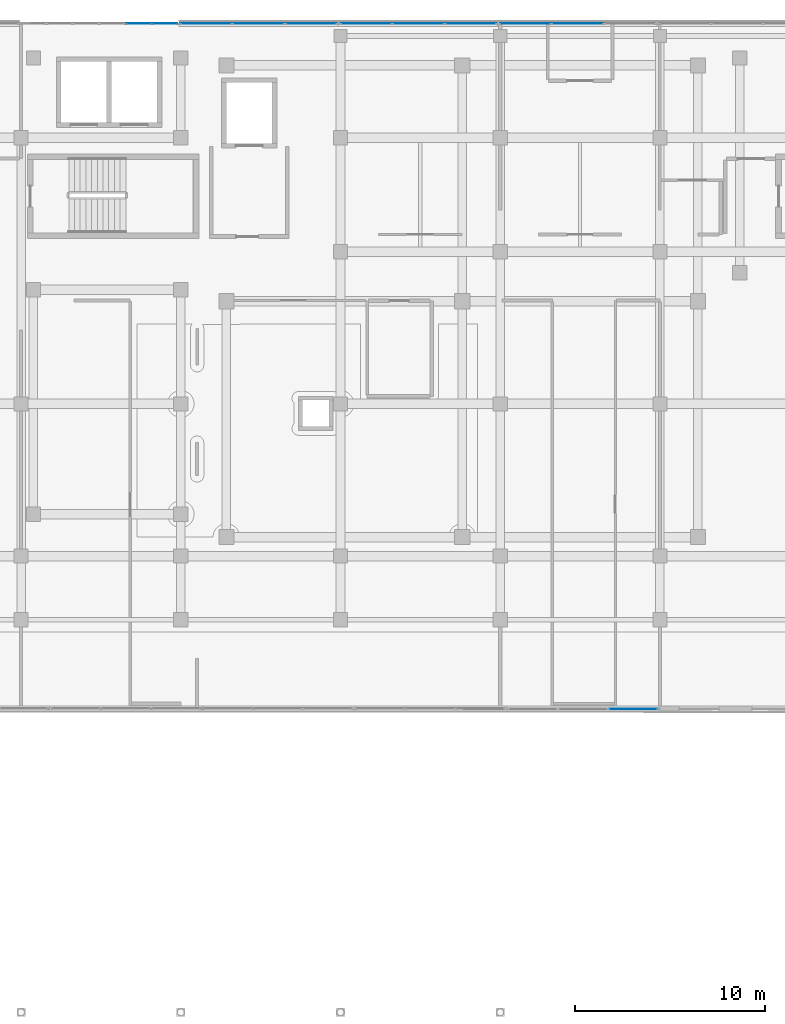
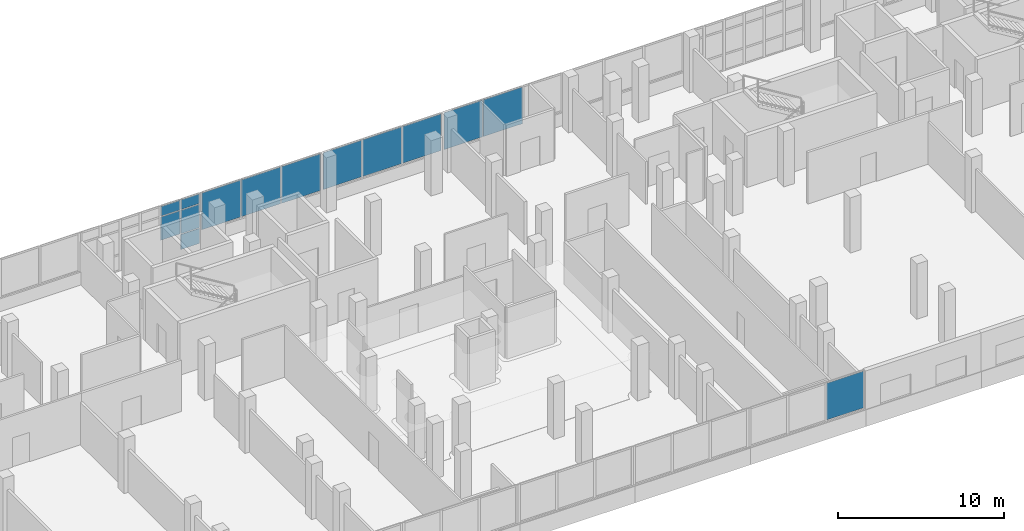
# One storey, part 77 of 101: 14 plates, 5 elements without a shape of their own.
"""IFC4 building model written with IfcOpenShell, lengths in metres."""

from ifc_helpers import new_model, si_unit, direction, frame, origin, origin_2d, place, context, subcontext, project, spatial, rectangle, extrude, material, layer, layer_set, type_object, element, aggregate, save


model = new_model("IFC4")

# Units and contexts
model_context = context("Model", 3, precision=1e-05, world=origin(), true_north=direction((0.0, 1.0)))
body_context = subcontext(model_context, "Body", "Model", "MODEL_VIEW")
ifc_project = project(units=[si_unit("LENGTHUNIT", "METRE"), si_unit("AREAUNIT", "SQUARE_METRE"), si_unit("VOLUMEUNIT", "CUBIC_METRE"), si_unit("PLANEANGLEUNIT", "RADIAN"), si_unit("MASSUNIT", "GRAM", prefix="KILO")], contexts=[model_context])

# Site, building, storey
site_placement = place(None, origin())
site = spatial("IfcSite", under=ifc_project, at=site_placement, CompositionType="ELEMENT")
building_placement = place(site_placement, origin())
building = spatial("IfcBuilding", under=site, at=building_placement, Name="Selatvlak General Hospital", CompositionType="ELEMENT")
storey_placement = place(building_placement, frame((0.0, 0.0, 19.199951171875)))
storey = spatial("IfcBuildingStorey", under=building, at=storey_placement, Name="L04", CompositionType="ELEMENT", Elevation=19.199951171875)

# Curtain wall, plates
ifc_material = material(Name="Solar-control Low-E double glazing", Category="glass")
curtain_wall_type_1 = type_object("IfcCurtainWallType", Name="CW-CW-04", PredefinedType="USERDEFINED", material=ifc_material)
curtain_wall_1_placement = place(storey_placement, origin())
curtain_wall_1 = element("IfcCurtainWall", 1, at=curtain_wall_1_placement, inside=storey, type_object=curtain_wall_type_1, Name="Glazed facade curtain wall CW-L04-0484", ObjectType="STICK GLAZING WALL", PredefinedType="USERDEFINED")
ifc_layer = layer(ifc_material, 0.028076171875, Name="Solar-control Low-E double glazing", Category="glass")
ifc_layer_set = layer_set([ifc_layer], Name="Solar-control Low-E double glazing")
plate_type = type_object("IfcPlateType", Name="CWP-01", PredefinedType="CURTAIN_PANEL", material=ifc_layer_set)
plate_1_placement = place(storey_placement, frame((54.197509765625, 119.9990234375, 1.232421875), z_axis=(0.0, 0.0, 1.0), x_axis=(1.0, 0.0, 0.0)))
plate_1 = element("IfcPlate", 2, at=plate_1_placement, type_object=plate_type, Name="CW-04 panel 5.2", PredefinedType="CURTAIN_PANEL", context=body_context, shape_type="SweptSolid", body=[
    extrude(rectangle(XDim=1.32666015625, YDim=0.028076171875, at=origin_2d()), origin(), (0.0, 0.0, 1.0), 1.705078125),
])
plate_2_placement = place(storey_placement, frame((54.197509765625, 119.9990234375, 3.00244140625), z_axis=(0.0, 0.0, 1.0), x_axis=(1.0, 0.0, 0.0)))
plate_2 = element("IfcPlate", 3, at=plate_2_placement, type_object=plate_type, Name="CW-04 panel 5.3", PredefinedType="CURTAIN_PANEL", context=body_context, shape_type="SweptSolid", body=[
    extrude(rectangle(XDim=1.32666015625, YDim=0.028076171875, at=origin_2d()), origin(), (0.0, 0.0, 1.0), 0.702392578125),
])
plate_3_placement = place(storey_placement, frame((55.572998046875, 119.9990234375, 0.06494140625), z_axis=(0.0, 0.0, 1.0), x_axis=(1.0, 0.0, 0.0)))
plate_3 = element("IfcPlate", 4, at=plate_3_placement, type_object=plate_type, Name="CW-04 panel 6.1", PredefinedType="CURTAIN_PANEL", context=body_context, shape_type="SweptSolid", body=[
    extrude(rectangle(XDim=1.294189453125, YDim=0.028076171875, at=origin_2d()), origin(), (0.0, 0.0, 1.0), 1.1025390625),
])
plate_4_placement = place(storey_placement, frame((55.572998046875, 119.9990234375, 1.232421875), z_axis=(0.0, 0.0, 1.0), x_axis=(1.0, 0.0, 0.0)))
plate_4 = element("IfcPlate", 5, at=plate_4_placement, type_object=plate_type, Name="CW-04 panel 6.2", PredefinedType="CURTAIN_PANEL", context=body_context, shape_type="SweptSolid", body=[
    extrude(rectangle(XDim=1.294189453125, YDim=0.028076171875, at=origin_2d()), origin(), (0.0, 0.0, 1.0), 1.705078125),
])
plate_5_placement = place(storey_placement, frame((55.572998046875, 119.9990234375, 3.00244140625), z_axis=(0.0, 0.0, 1.0), x_axis=(1.0, 0.0, 0.0)))
plate_5 = element("IfcPlate", 6, at=plate_5_placement, type_object=plate_type, Name="CW-04 panel 6.3", PredefinedType="CURTAIN_PANEL", context=body_context, shape_type="SweptSolid", body=[
    extrude(rectangle(XDim=1.294189453125, YDim=0.028076171875, at=origin_2d()), origin(), (0.0, 0.0, 1.0), 0.702392578125),
])
aggregate(curtain_wall_1, [plate_1, plate_2, plate_3, plate_4, plate_5])

curtain_wall_type_2 = type_object("IfcCurtainWallType", Name="CW-CW-01", PredefinedType="USERDEFINED", material=ifc_material)
curtain_wall_2_placement = place(storey_placement, origin())
curtain_wall_2 = element("IfcCurtainWall", 7, at=curtain_wall_2_placement, inside=storey, type_object=curtain_wall_type_2, Name="Glazed facade curtain wall CW-L04-0485", ObjectType="UNITISED CURTAIN WALL", PredefinedType="USERDEFINED")
plate_6_placement = place(storey_placement, frame((57.722900390625, 119.9990234375, 1.0048828125), z_axis=(0.0, 0.0, 1.0), x_axis=(1.0, 0.0, 0.0)))
plate_6 = element("IfcPlate", 8, at=plate_6_placement, type_object=plate_type, Name="CW-01 panel 1.1", PredefinedType="CURTAIN_PANEL", context=body_context, shape_type="SweptSolid", body=[
    extrude(rectangle(XDim=2.685791015625, YDim=0.028076171875, at=origin_2d()), origin(), (0.0, 0.0, 1.0), 2.699951171875),
])
plate_7_placement = place(storey_placement, frame((60.489990234375, 119.9990234375, 1.0048828125), z_axis=(0.0, 0.0, 1.0), x_axis=(1.0, 0.0, 0.0)))
plate_7 = element("IfcPlate", 9, at=plate_7_placement, type_object=plate_type, Name="CW-01 panel 2.1", PredefinedType="CURTAIN_PANEL", context=body_context, shape_type="SweptSolid", body=[
    extrude(rectangle(XDim=2.71826171875, YDim=0.028076171875, at=origin_2d()), origin(), (0.0, 0.0, 1.0), 2.699951171875),
])
plate_8_placement = place(storey_placement, frame((63.257080078125, 119.9990234375, 1.0048828125), z_axis=(0.0, 0.0, 1.0), x_axis=(1.0, 0.0, 0.0)))
plate_8 = element("IfcPlate", 10, at=plate_8_placement, type_object=plate_type, Name="CW-01 panel 3.1", PredefinedType="CURTAIN_PANEL", context=body_context, shape_type="SweptSolid", body=[
    extrude(rectangle(XDim=2.685791015625, YDim=0.028076171875, at=origin_2d()), origin(), (0.0, 0.0, 1.0), 2.699951171875),
])
aggregate(curtain_wall_2, [plate_6, plate_7, plate_8])

curtain_wall_type_3 = type_object("IfcCurtainWallType", Name="CW-CW-02", PredefinedType="USERDEFINED", material=ifc_material)
curtain_wall_3_placement = place(storey_placement, origin())
curtain_wall_3 = element("IfcCurtainWall", 11, at=curtain_wall_3_placement, inside=storey, type_object=curtain_wall_type_3, Name="Glazed facade curtain wall CW-L04-0486", ObjectType="UNITISED CURTAIN WALL", PredefinedType="USERDEFINED")
plate_9_placement = place(storey_placement, frame((66.14453125, 119.9990234375, 1.0048828125), z_axis=(0.0, 0.0, 1.0), x_axis=(1.0, 0.0, 0.0)))
plate_9 = element("IfcPlate", 12, at=plate_9_placement, type_object=plate_type, Name="CW-02 panel 1.1", PredefinedType="CURTAIN_PANEL", context=body_context, shape_type="SweptSolid", body=[
    extrude(rectangle(XDim=2.669189453125, YDim=0.028076171875, at=origin_2d()), origin(), (0.0, 0.0, 1.0), 2.699951171875),
])
plate_10_placement = place(storey_placement, frame((68.89501953125, 119.9990234375, 1.0048828125), z_axis=(0.0, 0.0, 1.0), x_axis=(1.0, 0.0, 0.0)))
plate_10 = element("IfcPlate", 13, at=plate_10_placement, type_object=plate_type, Name="CW-02 panel 2.1", PredefinedType="CURTAIN_PANEL", context=body_context, shape_type="SweptSolid", body=[
    extrude(rectangle(XDim=2.70166015625, YDim=0.028076171875, at=origin_2d()), origin(), (0.0, 0.0, 1.0), 2.699951171875),
])
plate_11_placement = place(storey_placement, frame((71.6455078125, 119.9990234375, 1.0048828125), z_axis=(0.0, 0.0, 1.0), x_axis=(1.0, 0.0, 0.0)))
plate_11 = element("IfcPlate", 14, at=plate_11_placement, type_object=plate_type, Name="CW-02 panel 3.1", PredefinedType="CURTAIN_PANEL", context=body_context, shape_type="SweptSolid", body=[
    extrude(rectangle(XDim=2.669189453125, YDim=0.028076171875, at=origin_2d()), origin(), (0.0, 0.0, 1.0), 2.699951171875),
])
aggregate(curtain_wall_3, [plate_9, plate_10, plate_11])

curtain_wall_4_placement = place(storey_placement, origin())
curtain_wall_4 = element("IfcCurtainWall", 15, at=curtain_wall_4_placement, inside=storey, type_object=curtain_wall_type_2, Name="Glazed facade curtain wall CW-L04-0487", ObjectType="UNITISED CURTAIN WALL", PredefinedType="USERDEFINED")
plate_12_placement = place(storey_placement, frame((74.524658203125, 119.9990234375, 1.0048828125), z_axis=(0.0, 0.0, 1.0), x_axis=(1.0, 0.0, 0.0)))
plate_12 = element("IfcPlate", 16, at=plate_12_placement, type_object=plate_type, Name="CW-01 panel 1.1", PredefinedType="CURTAIN_PANEL", context=body_context, shape_type="SweptSolid", body=[
    extrude(rectangle(XDim=2.669189453125, YDim=0.028076171875, at=origin_2d()), origin(), (0.0, 0.0, 1.0), 2.699951171875),
])
plate_13_placement = place(storey_placement, frame((77.27490234375, 119.9990234375, 1.0048828125), z_axis=(0.0, 0.0, 1.0), x_axis=(1.0, 0.0, 0.0)))
plate_13 = element("IfcPlate", 17, at=plate_13_placement, type_object=plate_type, Name="CW-01 panel 2.1", PredefinedType="CURTAIN_PANEL", context=body_context, shape_type="SweptSolid", body=[
    extrude(rectangle(XDim=2.70166015625, YDim=0.028076171875, at=origin_2d()), origin(), (0.0, 0.0, 1.0), 2.699951171875),
])
aggregate(curtain_wall_4, [plate_12, plate_13])

# Curtain wall, plate
curtain_wall_5_placement = place(storey_placement, origin())
curtain_wall_5 = element("IfcCurtainWall", 18, at=curtain_wall_5_placement, inside=storey, type_object=curtain_wall_type_3, Name="Glazed facade curtain wall CW-L04-0511", ObjectType="UNITISED CURTAIN WALL", PredefinedType="USERDEFINED")
plate_14_placement = place(storey_placement, frame((80.20703125, 83.9619140625, 1.0048828125), z_axis=(0.0, 0.0, 1.0), x_axis=(-0.999999803609, 0.000626723363, 0.0)))
plate_14 = element("IfcPlate", 19, at=plate_14_placement, type_object=plate_type, Name="CW-02 panel 1.1", PredefinedType="CURTAIN_PANEL", context=body_context, shape_type="SweptSolid", body=[
    extrude(rectangle(XDim=2.561767578125, YDim=0.028076171875, at=origin_2d()), origin(), (0.0, 0.0, 1.0), 2.699951171875),
])
aggregate(curtain_wall_5, [plate_14])

save(model, "model.ifc")
